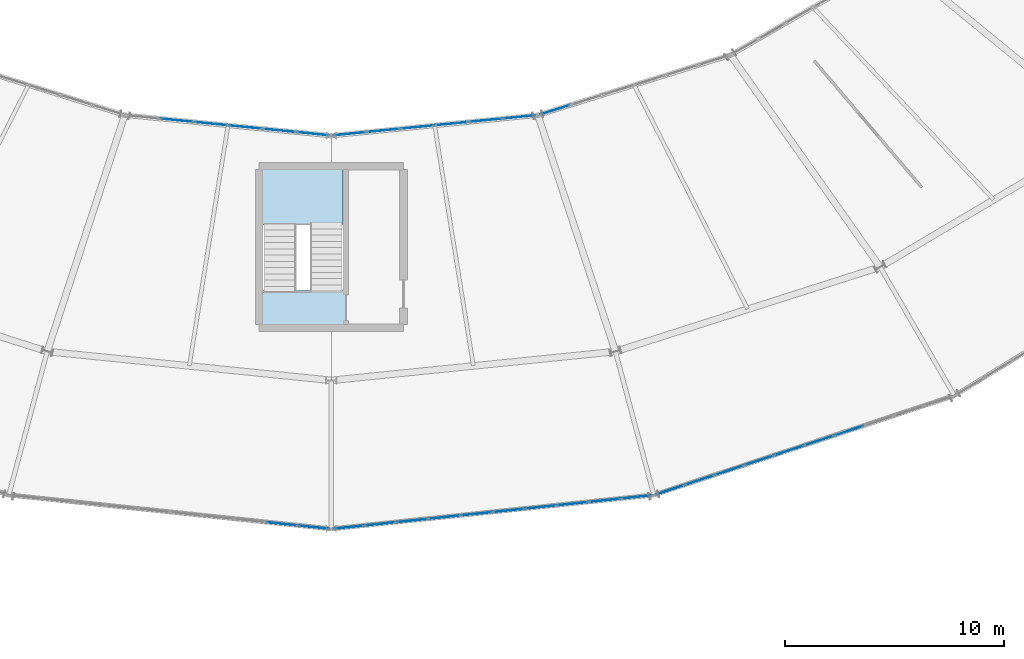
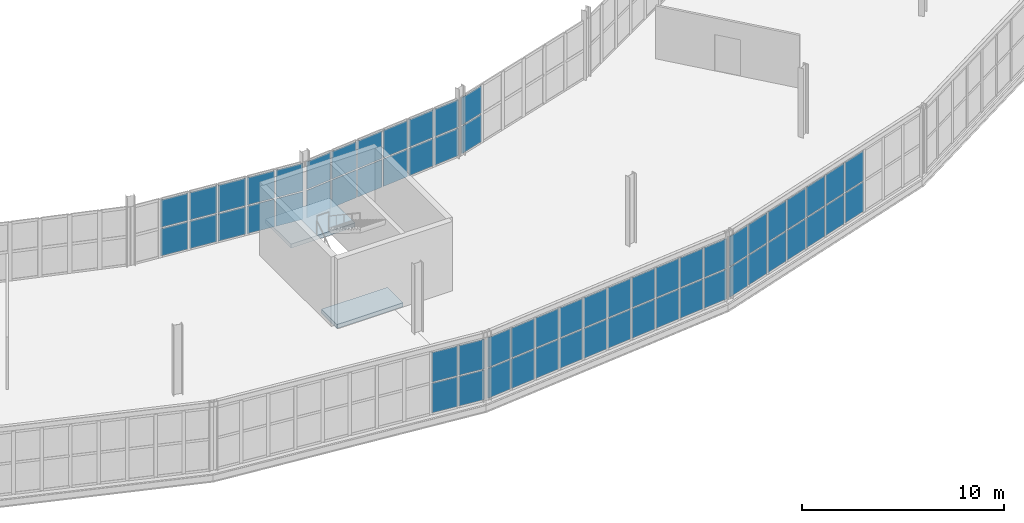
# One storey, part 109 of 161: 62 plates, 2 slabs, 7 elements without a shape of their own.
"""IFC4 building model written with IfcOpenShell, lengths in metres."""

from ifc_helpers import new_model, si_unit, direction, frame, origin, origin_2d, place, context, subcontext, project, spatial, polyline, rectangle, outline, extrude, material, layer, layer_set, type_object, element, aggregate, save


model = new_model("IFC4")

# Units and contexts
model_context = context("Model", 3, precision=1e-05, world=origin(), true_north=direction((0.0, 1.0)))
body_context = subcontext(model_context, "Body", "Model", "MODEL_VIEW")
ifc_project = project(units=[si_unit("LENGTHUNIT", "METRE"), si_unit("AREAUNIT", "SQUARE_METRE"), si_unit("VOLUMEUNIT", "CUBIC_METRE"), si_unit("PLANEANGLEUNIT", "RADIAN"), si_unit("MASSUNIT", "GRAM", prefix="KILO")], contexts=[model_context])

# Site, building, storey
site_placement = place(None, origin())
site = spatial("IfcSite", under=ifc_project, at=site_placement, CompositionType="ELEMENT")
building_placement = place(site_placement, origin())
building = spatial("IfcBuilding", under=site, at=building_placement, Name="Kildeholm Park Wholesale Market", CompositionType="ELEMENT")
storey_placement = place(building_placement, frame((0.0, 0.0, 5.39990234375)))
storey = spatial("IfcBuildingStorey", under=building, at=storey_placement, Name="L01", CompositionType="ELEMENT", Elevation=5.39990234375)

# Curtain wall, plates
ifc_material_1 = material(Name="Anodised aluminium and low-E double-glazed glass", Category="aluminium")
curtain_wall_type = type_object("IfcCurtainWallType", Name="Market hall glazed arcade stick curtain wall CW-01", PredefinedType="NOTDEFINED", material=ifc_material_1)
curtain_wall_1_placement = place(storey_placement, origin())
curtain_wall_1 = element("IfcCurtainWall", 1, at=curtain_wall_1_placement, inside=storey, type_object=curtain_wall_type, Name="Curtain wall CW-V1-OT-17-1 CW-0084", PredefinedType="NOTDEFINED")
ifc_material_2 = material(Name="Double-glazed low-E insulated glass", Category="glass")
ifc_layer_1 = layer(ifc_material_2, 0.028076171875)
ifc_layer_set_1 = layer_set([ifc_layer_1], Name="Double-glazed low-E insulated glass")
plate_type = type_object("IfcPlateType", Name="Curtain-wall panel CWP-1 28 mm", PredefinedType="CURTAIN_PANEL", material=ifc_layer_set_1)
plate_1_placement = place(storey_placement, frame((96.7587890625, 44.231201171875, 0.06494140625), z_axis=(0.0, 0.0, 1.0), x_axis=(0.994524005652, -0.104508383308, 0.0)))
plate_1 = element("IfcPlate", 2, at=plate_1_placement, type_object=plate_type, Name="CW-01 panel 9.1 PLT-1284", PredefinedType="CURTAIN_PANEL", context=body_context, shape_type="SweptSolid", body=[
    extrude(rectangle(XDim=1.410400390625, YDim=0.028076171875, at=origin_2d()), origin(), (0.0, 0.0, 1.0), 1.802490234375),
])
plate_2_placement = place(storey_placement, frame((96.7587890625, 44.231201171875, 1.9326171875), z_axis=(0.0, 0.0, 1.0), x_axis=(0.994524005652, -0.104508383308, 0.0)))
plate_2 = element("IfcPlate", 3, at=plate_2_placement, type_object=plate_type, Name="CW-01 panel 9.2 PLT-1285", PredefinedType="CURTAIN_PANEL", context=body_context, shape_type="SweptSolid", body=[
    extrude(rectangle(XDim=1.410400390625, YDim=0.028076171875, at=origin_2d()), origin(), (0.0, 0.0, 1.0), 1.802490234375),
])
plate_3_placement = place(storey_placement, frame((98.210205078125, 44.078857421875, 0.06494140625), z_axis=(0.0, 0.0, 1.0), x_axis=(0.994524005652, -0.104508383308, 0.0)))
plate_3 = element("IfcPlate", 4, at=plate_3_placement, type_object=plate_type, Name="CW-01 panel 10.1 PLT-1286", PredefinedType="CURTAIN_PANEL", context=body_context, shape_type="SweptSolid", body=[
    extrude(rectangle(XDim=1.3779296875, YDim=0.028076171875, at=origin_2d()), origin(), (0.0, 0.0, 1.0), 1.802490234375),
])
plate_4_placement = place(storey_placement, frame((98.210205078125, 44.078857421875, 1.9326171875), z_axis=(0.0, 0.0, 1.0), x_axis=(0.994524005652, -0.104508383308, 0.0)))
plate_4 = element("IfcPlate", 5, at=plate_4_placement, type_object=plate_type, Name="CW-01 panel 10.2 PLT-1287", PredefinedType="CURTAIN_PANEL", context=body_context, shape_type="SweptSolid", body=[
    extrude(rectangle(XDim=1.3779296875, YDim=0.028076171875, at=origin_2d()), origin(), (0.0, 0.0, 1.0), 1.802490234375),
])
aggregate(curtain_wall_1, [plate_1, plate_2, plate_3, plate_4])

curtain_wall_2_placement = place(storey_placement, origin())
curtain_wall_2 = element("IfcCurtainWall", 6, at=curtain_wall_2_placement, inside=storey, type_object=curtain_wall_type, Name="Curtain wall CW-V1-IN1-17 CW-0087", PredefinedType="NOTDEFINED")
plate_5_placement = place(storey_placement, frame((91.93408203125, 62.69677734375, 0.074951171875), z_axis=(0.0, 0.0, 1.0), x_axis=(0.995118887444, -0.098683331174, 0.0)))
plate_5 = element("IfcPlate", 7, at=plate_5_placement, type_object=plate_type, Name="CW-01 panel 2.1 PLT-1320", PredefinedType="CURTAIN_PANEL", context=body_context, shape_type="SweptSolid", body=[
    extrude(rectangle(XDim=1.493896484375, YDim=0.028076171875, at=origin_2d()), origin(), (0.0, 0.0, 1.0), 1.66259765625),
])
plate_6_placement = place(storey_placement, frame((91.93408203125, 62.69677734375, 1.8125), z_axis=(0.0, 0.0, 1.0), x_axis=(0.995118887444, -0.098683331174, 0.0)))
plate_6 = element("IfcPlate", 8, at=plate_6_placement, type_object=plate_type, Name="CW-01 panel 2.2 PLT-1321", PredefinedType="CURTAIN_PANEL", context=body_context, shape_type="SweptSolid", body=[
    extrude(rectangle(XDim=1.493896484375, YDim=0.028076171875, at=origin_2d()), origin(), (0.0, 0.0, 1.0), 1.66259765625),
])
plate_7_placement = place(storey_placement, frame((93.495361328125, 62.5419921875, 0.074951171875), z_axis=(0.0, 0.0, 1.0), x_axis=(0.995118887444, -0.098683331174, 0.0)))
plate_7 = element("IfcPlate", 9, at=plate_7_placement, type_object=plate_type, Name="CW-01 panel 3.1 PLT-1322", PredefinedType="CURTAIN_PANEL", context=body_context, shape_type="SweptSolid", body=[
    extrude(rectangle(XDim=1.493896484375, YDim=0.028076171875, at=origin_2d()), origin(), (0.0, 0.0, 1.0), 1.66259765625),
])
plate_8_placement = place(storey_placement, frame((93.495361328125, 62.5419921875, 1.8125), z_axis=(0.0, 0.0, 1.0), x_axis=(0.995118887444, -0.098683331174, 0.0)))
plate_8 = element("IfcPlate", 10, at=plate_8_placement, type_object=plate_type, Name="CW-01 panel 3.2 PLT-1323", PredefinedType="CURTAIN_PANEL", context=body_context, shape_type="SweptSolid", body=[
    extrude(rectangle(XDim=1.493896484375, YDim=0.028076171875, at=origin_2d()), origin(), (0.0, 0.0, 1.0), 1.66259765625),
])
plate_9_placement = place(storey_placement, frame((95.056640625, 62.386962890625, 0.074951171875), z_axis=(0.0, 0.0, 1.0), x_axis=(0.995118887444, -0.098683331174, 0.0)))
plate_9 = element("IfcPlate", 11, at=plate_9_placement, type_object=plate_type, Name="CW-01 panel 4.1 PLT-1324", PredefinedType="CURTAIN_PANEL", context=body_context, shape_type="SweptSolid", body=[
    extrude(rectangle(XDim=1.493896484375, YDim=0.028076171875, at=origin_2d()), origin(), (0.0, 0.0, 1.0), 1.66259765625),
])
plate_10_placement = place(storey_placement, frame((95.056640625, 62.386962890625, 1.8125), z_axis=(0.0, 0.0, 1.0), x_axis=(0.995118887444, -0.098683331174, 0.0)))
plate_10 = element("IfcPlate", 12, at=plate_10_placement, type_object=plate_type, Name="CW-01 panel 4.2 PLT-1325", PredefinedType="CURTAIN_PANEL", context=body_context, shape_type="SweptSolid", body=[
    extrude(rectangle(XDim=1.493896484375, YDim=0.028076171875, at=origin_2d()), origin(), (0.0, 0.0, 1.0), 1.66259765625),
])
plate_11_placement = place(storey_placement, frame((96.617919921875, 62.232177734375, 0.074951171875), z_axis=(0.0, 0.0, 1.0), x_axis=(0.995118887444, -0.098683331174, 0.0)))
plate_11 = element("IfcPlate", 13, at=plate_11_placement, type_object=plate_type, Name="CW-01 panel 5.1 PLT-1326", PredefinedType="CURTAIN_PANEL", context=body_context, shape_type="SweptSolid", body=[
    extrude(rectangle(XDim=1.493896484375, YDim=0.028076171875, at=origin_2d()), origin(), (0.0, 0.0, 1.0), 1.66259765625),
])
plate_12_placement = place(storey_placement, frame((96.617919921875, 62.232177734375, 1.8125), z_axis=(0.0, 0.0, 1.0), x_axis=(0.995118887444, -0.098683331174, 0.0)))
plate_12 = element("IfcPlate", 14, at=plate_12_placement, type_object=plate_type, Name="CW-01 panel 5.2 PLT-1327", PredefinedType="CURTAIN_PANEL", context=body_context, shape_type="SweptSolid", body=[
    extrude(rectangle(XDim=1.493896484375, YDim=0.028076171875, at=origin_2d()), origin(), (0.0, 0.0, 1.0), 1.66259765625),
])
plate_13_placement = place(storey_placement, frame((98.16064453125, 62.079345703125, 0.074951171875), z_axis=(0.0, 0.0, 1.0), x_axis=(0.995118887444, -0.098683331174, 0.0)))
plate_13 = element("IfcPlate", 15, at=plate_13_placement, type_object=plate_type, Name="CW-01 panel 6.1 PLT-1328", PredefinedType="CURTAIN_PANEL", context=body_context, shape_type="SweptSolid", body=[
    extrude(rectangle(XDim=1.45654296875, YDim=0.028076171875, at=origin_2d()), origin(), (0.0, 0.0, 1.0), 1.66259765625),
])
plate_14_placement = place(storey_placement, frame((98.16064453125, 62.079345703125, 1.8125), z_axis=(0.0, 0.0, 1.0), x_axis=(0.995118887444, -0.098683331174, 0.0)))
plate_14 = element("IfcPlate", 16, at=plate_14_placement, type_object=plate_type, Name="CW-01 panel 6.2 PLT-1329", PredefinedType="CURTAIN_PANEL", context=body_context, shape_type="SweptSolid", body=[
    extrude(rectangle(XDim=1.45654296875, YDim=0.028076171875, at=origin_2d()), origin(), (0.0, 0.0, 1.0), 1.66259765625),
])
aggregate(curtain_wall_2, [plate_5, plate_6, plate_7, plate_8, plate_9, plate_10, plate_11, plate_12, plate_13, plate_14])

curtain_wall_3_placement = place(storey_placement, origin())
curtain_wall_3 = element("IfcCurtainWall", 17, at=curtain_wall_3_placement, inside=storey, type_object=curtain_wall_type, Name="Curtain wall CW-V1-OT-18-1 CW-0089", PredefinedType="NOTDEFINED")
plate_15_placement = place(storey_placement, frame((99.789794921875, 44.078857421875, 0.06494140625), z_axis=(0.0, 0.0, 1.0), x_axis=(0.994524005652, 0.104508383308, 0.0)))
plate_15 = element("IfcPlate", 18, at=plate_15_placement, type_object=plate_type, Name="CW-01 panel 1.1 PLT-1342", PredefinedType="CURTAIN_PANEL", context=body_context, shape_type="SweptSolid", body=[
    extrude(rectangle(XDim=1.3779296875, YDim=0.028076171875, at=origin_2d()), origin(), (0.0, 0.0, 1.0), 1.802490234375),
])
plate_16_placement = place(storey_placement, frame((99.789794921875, 44.078857421875, 1.9326171875), z_axis=(0.0, 0.0, 1.0), x_axis=(0.994524005652, 0.104508383308, 0.0)))
plate_16 = element("IfcPlate", 19, at=plate_16_placement, type_object=plate_type, Name="CW-01 panel 1.2 PLT-1343", PredefinedType="CURTAIN_PANEL", context=body_context, shape_type="SweptSolid", body=[
    extrude(rectangle(XDim=1.3779296875, YDim=0.028076171875, at=origin_2d()), origin(), (0.0, 0.0, 1.0), 1.802490234375),
])
plate_17_placement = place(storey_placement, frame((101.2412109375, 44.231201171875, 0.06494140625), z_axis=(0.0, 0.0, 1.0), x_axis=(0.994524005652, 0.104508383308, 0.0)))
plate_17 = element("IfcPlate", 20, at=plate_17_placement, type_object=plate_type, Name="CW-01 panel 2.1 PLT-1344", PredefinedType="CURTAIN_PANEL", context=body_context, shape_type="SweptSolid", body=[
    extrude(rectangle(XDim=1.410400390625, YDim=0.028076171875, at=origin_2d()), origin(), (0.0, 0.0, 1.0), 1.802490234375),
])
plate_18_placement = place(storey_placement, frame((101.2412109375, 44.231201171875, 1.9326171875), z_axis=(0.0, 0.0, 1.0), x_axis=(0.994524005652, 0.104508383308, 0.0)))
plate_18 = element("IfcPlate", 21, at=plate_18_placement, type_object=plate_type, Name="CW-01 panel 2.2 PLT-1345", PredefinedType="CURTAIN_PANEL", context=body_context, shape_type="SweptSolid", body=[
    extrude(rectangle(XDim=1.410400390625, YDim=0.028076171875, at=origin_2d()), origin(), (0.0, 0.0, 1.0), 1.802490234375),
])
plate_19_placement = place(storey_placement, frame((102.70849609375, 44.385498046875, 0.06494140625), z_axis=(0.0, 0.0, 1.0), x_axis=(0.994524005652, 0.104508383308, 0.0)))
plate_19 = element("IfcPlate", 22, at=plate_19_placement, type_object=plate_type, Name="CW-01 panel 3.1 PLT-1346", PredefinedType="CURTAIN_PANEL", context=body_context, shape_type="SweptSolid", body=[
    extrude(rectangle(XDim=1.410400390625, YDim=0.028076171875, at=origin_2d()), origin(), (0.0, 0.0, 1.0), 1.802490234375),
])
plate_20_placement = place(storey_placement, frame((102.70849609375, 44.385498046875, 1.9326171875), z_axis=(0.0, 0.0, 1.0), x_axis=(0.994524005652, 0.104508383308, 0.0)))
plate_20 = element("IfcPlate", 23, at=plate_20_placement, type_object=plate_type, Name="CW-01 panel 3.2 PLT-1347", PredefinedType="CURTAIN_PANEL", context=body_context, shape_type="SweptSolid", body=[
    extrude(rectangle(XDim=1.410400390625, YDim=0.028076171875, at=origin_2d()), origin(), (0.0, 0.0, 1.0), 1.802490234375),
])
plate_21_placement = place(storey_placement, frame((104.17578125, 44.539794921875, 0.06494140625), z_axis=(0.0, 0.0, 1.0), x_axis=(0.994524005652, 0.104508383308, 0.0)))
plate_21 = element("IfcPlate", 24, at=plate_21_placement, type_object=plate_type, Name="CW-01 panel 4.1 PLT-1348", PredefinedType="CURTAIN_PANEL", context=body_context, shape_type="SweptSolid", body=[
    extrude(rectangle(XDim=1.410400390625, YDim=0.028076171875, at=origin_2d()), origin(), (0.0, 0.0, 1.0), 1.802490234375),
])
plate_22_placement = place(storey_placement, frame((104.17578125, 44.539794921875, 1.9326171875), z_axis=(0.0, 0.0, 1.0), x_axis=(0.994524005652, 0.104508383308, 0.0)))
plate_22 = element("IfcPlate", 25, at=plate_22_placement, type_object=plate_type, Name="CW-01 panel 4.2 PLT-1349", PredefinedType="CURTAIN_PANEL", context=body_context, shape_type="SweptSolid", body=[
    extrude(rectangle(XDim=1.410400390625, YDim=0.028076171875, at=origin_2d()), origin(), (0.0, 0.0, 1.0), 1.802490234375),
])
plate_23_placement = place(storey_placement, frame((105.643310546875, 44.69384765625, 0.06494140625), z_axis=(0.0, 0.0, 1.0), x_axis=(0.994524005652, 0.104508383308, 0.0)))
plate_23 = element("IfcPlate", 26, at=plate_23_placement, type_object=plate_type, Name="CW-01 panel 5.1 PLT-1350", PredefinedType="CURTAIN_PANEL", context=body_context, shape_type="SweptSolid", body=[
    extrude(rectangle(XDim=1.410400390625, YDim=0.028076171875, at=origin_2d()), origin(), (0.0, 0.0, 1.0), 1.802490234375),
])
plate_24_placement = place(storey_placement, frame((105.643310546875, 44.69384765625, 1.9326171875), z_axis=(0.0, 0.0, 1.0), x_axis=(0.994524005652, 0.104508383308, 0.0)))
plate_24 = element("IfcPlate", 27, at=plate_24_placement, type_object=plate_type, Name="CW-01 panel 5.2 PLT-1351", PredefinedType="CURTAIN_PANEL", context=body_context, shape_type="SweptSolid", body=[
    extrude(rectangle(XDim=1.410400390625, YDim=0.028076171875, at=origin_2d()), origin(), (0.0, 0.0, 1.0), 1.802490234375),
])
plate_25_placement = place(storey_placement, frame((107.110595703125, 44.84814453125, 0.06494140625), z_axis=(0.0, 0.0, 1.0), x_axis=(0.994524005652, 0.104508383308, 0.0)))
plate_25 = element("IfcPlate", 28, at=plate_25_placement, type_object=plate_type, Name="CW-01 panel 6.1 PLT-1352", PredefinedType="CURTAIN_PANEL", context=body_context, shape_type="SweptSolid", body=[
    extrude(rectangle(XDim=1.410400390625, YDim=0.028076171875, at=origin_2d()), origin(), (0.0, 0.0, 1.0), 1.802490234375),
])
plate_26_placement = place(storey_placement, frame((107.110595703125, 44.84814453125, 1.9326171875), z_axis=(0.0, 0.0, 1.0), x_axis=(0.994524005652, 0.104508383308, 0.0)))
plate_26 = element("IfcPlate", 29, at=plate_26_placement, type_object=plate_type, Name="CW-01 panel 6.2 PLT-1353", PredefinedType="CURTAIN_PANEL", context=body_context, shape_type="SweptSolid", body=[
    extrude(rectangle(XDim=1.410400390625, YDim=0.028076171875, at=origin_2d()), origin(), (0.0, 0.0, 1.0), 1.802490234375),
])
plate_27_placement = place(storey_placement, frame((108.578125, 45.002197265625, 0.06494140625), z_axis=(0.0, 0.0, 1.0), x_axis=(0.994524005652, 0.104508383308, 0.0)))
plate_27 = element("IfcPlate", 30, at=plate_27_placement, type_object=plate_type, Name="CW-01 panel 7.1 PLT-1354", PredefinedType="CURTAIN_PANEL", context=body_context, shape_type="SweptSolid", body=[
    extrude(rectangle(XDim=1.410400390625, YDim=0.028076171875, at=origin_2d()), origin(), (0.0, 0.0, 1.0), 1.802490234375),
])
plate_28_placement = place(storey_placement, frame((108.578125, 45.002197265625, 1.9326171875), z_axis=(0.0, 0.0, 1.0), x_axis=(0.994524005652, 0.104508383308, 0.0)))
plate_28 = element("IfcPlate", 31, at=plate_28_placement, type_object=plate_type, Name="CW-01 panel 7.2 PLT-1355", PredefinedType="CURTAIN_PANEL", context=body_context, shape_type="SweptSolid", body=[
    extrude(rectangle(XDim=1.410400390625, YDim=0.028076171875, at=origin_2d()), origin(), (0.0, 0.0, 1.0), 1.802490234375),
])
plate_29_placement = place(storey_placement, frame((110.04541015625, 45.156494140625, 0.06494140625), z_axis=(0.0, 0.0, 1.0), x_axis=(0.994524005652, 0.104508383308, 0.0)))
plate_29 = element("IfcPlate", 32, at=plate_29_placement, type_object=plate_type, Name="CW-01 panel 8.1 PLT-1356", PredefinedType="CURTAIN_PANEL", context=body_context, shape_type="SweptSolid", body=[
    extrude(rectangle(XDim=1.410400390625, YDim=0.028076171875, at=origin_2d()), origin(), (0.0, 0.0, 1.0), 1.802490234375),
])
plate_30_placement = place(storey_placement, frame((110.04541015625, 45.156494140625, 1.9326171875), z_axis=(0.0, 0.0, 1.0), x_axis=(0.994524005652, 0.104508383308, 0.0)))
plate_30 = element("IfcPlate", 33, at=plate_30_placement, type_object=plate_type, Name="CW-01 panel 8.2 PLT-1357", PredefinedType="CURTAIN_PANEL", context=body_context, shape_type="SweptSolid", body=[
    extrude(rectangle(XDim=1.410400390625, YDim=0.028076171875, at=origin_2d()), origin(), (0.0, 0.0, 1.0), 1.802490234375),
])
plate_31_placement = place(storey_placement, frame((111.512939453125, 45.310791015625, 0.06494140625), z_axis=(0.0, 0.0, 1.0), x_axis=(0.994524005652, 0.104508383308, 0.0)))
plate_31 = element("IfcPlate", 34, at=plate_31_placement, type_object=plate_type, Name="CW-01 panel 9.1 PLT-1358", PredefinedType="CURTAIN_PANEL", context=body_context, shape_type="SweptSolid", body=[
    extrude(rectangle(XDim=1.410400390625, YDim=0.028076171875, at=origin_2d()), origin(), (0.0, 0.0, 1.0), 1.802490234375),
])
plate_32_placement = place(storey_placement, frame((111.512939453125, 45.310791015625, 1.9326171875), z_axis=(0.0, 0.0, 1.0), x_axis=(0.994524005652, 0.104508383308, 0.0)))
plate_32 = element("IfcPlate", 35, at=plate_32_placement, type_object=plate_type, Name="CW-01 panel 9.2 PLT-1359", PredefinedType="CURTAIN_PANEL", context=body_context, shape_type="SweptSolid", body=[
    extrude(rectangle(XDim=1.410400390625, YDim=0.028076171875, at=origin_2d()), origin(), (0.0, 0.0, 1.0), 1.802490234375),
])
plate_33_placement = place(storey_placement, frame((112.964111328125, 45.463134765625, 0.06494140625), z_axis=(0.0, 0.0, 1.0), x_axis=(0.994524005652, 0.104508383308, 0.0)))
plate_33 = element("IfcPlate", 36, at=plate_33_placement, type_object=plate_type, Name="CW-01 panel 10.1 PLT-1360", PredefinedType="CURTAIN_PANEL", context=body_context, shape_type="SweptSolid", body=[
    extrude(rectangle(XDim=1.3779296875, YDim=0.028076171875, at=origin_2d()), origin(), (0.0, 0.0, 1.0), 1.802490234375),
])
plate_34_placement = place(storey_placement, frame((112.964111328125, 45.463134765625, 1.9326171875), z_axis=(0.0, 0.0, 1.0), x_axis=(0.994524005652, 0.104508383308, 0.0)))
plate_34 = element("IfcPlate", 37, at=plate_34_placement, type_object=plate_type, Name="CW-01 panel 10.2 PLT-1361", PredefinedType="CURTAIN_PANEL", context=body_context, shape_type="SweptSolid", body=[
    extrude(rectangle(XDim=1.3779296875, YDim=0.028076171875, at=origin_2d()), origin(), (0.0, 0.0, 1.0), 1.802490234375),
])
aggregate(curtain_wall_3, [plate_15, plate_16, plate_17, plate_18, plate_19, plate_20, plate_21, plate_22, plate_23, plate_24, plate_25, plate_26, plate_27, plate_28, plate_29, plate_30, plate_31, plate_32, plate_33, plate_34])

curtain_wall_4_placement = place(storey_placement, origin())
curtain_wall_4 = element("IfcCurtainWall", 38, at=curtain_wall_4_placement, inside=storey, type_object=curtain_wall_type, Name="Curtain wall CW-V1-IN1-18 CW-0092", PredefinedType="NOTDEFINED")
plate_35_placement = place(storey_placement, frame((99.83935546875, 62.079345703125, 0.074951171875), z_axis=(0.0, 0.0, 1.0), x_axis=(0.995118887444, 0.098683331174, 0.0)))
plate_35 = element("IfcPlate", 39, at=plate_35_placement, type_object=plate_type, Name="CW-01 panel 1.1 PLT-1392", PredefinedType="CURTAIN_PANEL", context=body_context, shape_type="SweptSolid", body=[
    extrude(rectangle(XDim=1.45654296875, YDim=0.028076171875, at=origin_2d()), origin(), (0.0, 0.0, 1.0), 1.66259765625),
])
plate_36_placement = place(storey_placement, frame((99.83935546875, 62.079345703125, 1.8125), z_axis=(0.0, 0.0, 1.0), x_axis=(0.995118887444, 0.098683331174, 0.0)))
plate_36 = element("IfcPlate", 40, at=plate_36_placement, type_object=plate_type, Name="CW-01 panel 1.2 PLT-1393", PredefinedType="CURTAIN_PANEL", context=body_context, shape_type="SweptSolid", body=[
    extrude(rectangle(XDim=1.45654296875, YDim=0.028076171875, at=origin_2d()), origin(), (0.0, 0.0, 1.0), 1.66259765625),
])
plate_37_placement = place(storey_placement, frame((101.382080078125, 62.232177734375, 0.074951171875), z_axis=(0.0, 0.0, 1.0), x_axis=(0.995118887444, 0.098683331174, 0.0)))
plate_37 = element("IfcPlate", 41, at=plate_37_placement, type_object=plate_type, Name="CW-01 panel 2.1 PLT-1394", PredefinedType="CURTAIN_PANEL", context=body_context, shape_type="SweptSolid", body=[
    extrude(rectangle(XDim=1.493896484375, YDim=0.028076171875, at=origin_2d()), origin(), (0.0, 0.0, 1.0), 1.66259765625),
])
plate_38_placement = place(storey_placement, frame((101.382080078125, 62.232177734375, 1.8125), z_axis=(0.0, 0.0, 1.0), x_axis=(0.995118887444, 0.098683331174, 0.0)))
plate_38 = element("IfcPlate", 42, at=plate_38_placement, type_object=plate_type, Name="CW-01 panel 2.2 PLT-1395", PredefinedType="CURTAIN_PANEL", context=body_context, shape_type="SweptSolid", body=[
    extrude(rectangle(XDim=1.493896484375, YDim=0.028076171875, at=origin_2d()), origin(), (0.0, 0.0, 1.0), 1.66259765625),
])
plate_39_placement = place(storey_placement, frame((102.943359375, 62.386962890625, 0.074951171875), z_axis=(0.0, 0.0, 1.0), x_axis=(0.995118887444, 0.098683331174, 0.0)))
plate_39 = element("IfcPlate", 43, at=plate_39_placement, type_object=plate_type, Name="CW-01 panel 3.1 PLT-1396", PredefinedType="CURTAIN_PANEL", context=body_context, shape_type="SweptSolid", body=[
    extrude(rectangle(XDim=1.493896484375, YDim=0.028076171875, at=origin_2d()), origin(), (0.0, 0.0, 1.0), 1.66259765625),
])
plate_40_placement = place(storey_placement, frame((102.943359375, 62.386962890625, 1.8125), z_axis=(0.0, 0.0, 1.0), x_axis=(0.995118887444, 0.098683331174, 0.0)))
plate_40 = element("IfcPlate", 44, at=plate_40_placement, type_object=plate_type, Name="CW-01 panel 3.2 PLT-1397", PredefinedType="CURTAIN_PANEL", context=body_context, shape_type="SweptSolid", body=[
    extrude(rectangle(XDim=1.493896484375, YDim=0.028076171875, at=origin_2d()), origin(), (0.0, 0.0, 1.0), 1.66259765625),
])
plate_41_placement = place(storey_placement, frame((104.504638671875, 62.5419921875, 0.074951171875), z_axis=(0.0, 0.0, 1.0), x_axis=(0.995118887444, 0.098683331174, 0.0)))
plate_41 = element("IfcPlate", 45, at=plate_41_placement, type_object=plate_type, Name="CW-01 panel 4.1 PLT-1398", PredefinedType="CURTAIN_PANEL", context=body_context, shape_type="SweptSolid", body=[
    extrude(rectangle(XDim=1.493896484375, YDim=0.028076171875, at=origin_2d()), origin(), (0.0, 0.0, 1.0), 1.66259765625),
])
plate_42_placement = place(storey_placement, frame((104.504638671875, 62.5419921875, 1.8125), z_axis=(0.0, 0.0, 1.0), x_axis=(0.995118887444, 0.098683331174, 0.0)))
plate_42 = element("IfcPlate", 46, at=plate_42_placement, type_object=plate_type, Name="CW-01 panel 4.2 PLT-1399", PredefinedType="CURTAIN_PANEL", context=body_context, shape_type="SweptSolid", body=[
    extrude(rectangle(XDim=1.493896484375, YDim=0.028076171875, at=origin_2d()), origin(), (0.0, 0.0, 1.0), 1.66259765625),
])
plate_43_placement = place(storey_placement, frame((106.06591796875, 62.69677734375, 0.074951171875), z_axis=(0.0, 0.0, 1.0), x_axis=(0.995118887444, 0.098683331174, 0.0)))
plate_43 = element("IfcPlate", 47, at=plate_43_placement, type_object=plate_type, Name="CW-01 panel 5.1 PLT-1400", PredefinedType="CURTAIN_PANEL", context=body_context, shape_type="SweptSolid", body=[
    extrude(rectangle(XDim=1.493896484375, YDim=0.028076171875, at=origin_2d()), origin(), (0.0, 0.0, 1.0), 1.66259765625),
])
plate_44_placement = place(storey_placement, frame((106.06591796875, 62.69677734375, 1.8125), z_axis=(0.0, 0.0, 1.0), x_axis=(0.995118887444, 0.098683331174, 0.0)))
plate_44 = element("IfcPlate", 48, at=plate_44_placement, type_object=plate_type, Name="CW-01 panel 5.2 PLT-1401", PredefinedType="CURTAIN_PANEL", context=body_context, shape_type="SweptSolid", body=[
    extrude(rectangle(XDim=1.493896484375, YDim=0.028076171875, at=origin_2d()), origin(), (0.0, 0.0, 1.0), 1.66259765625),
])
plate_45_placement = place(storey_placement, frame((107.608642578125, 62.849853515625, 0.074951171875), z_axis=(0.0, 0.0, 1.0), x_axis=(0.995118887444, 0.098683331174, 0.0)))
plate_45 = element("IfcPlate", 49, at=plate_45_placement, type_object=plate_type, Name="CW-01 panel 6.1 PLT-1402", PredefinedType="CURTAIN_PANEL", context=body_context, shape_type="SweptSolid", body=[
    extrude(rectangle(XDim=1.45654296875, YDim=0.028076171875, at=origin_2d()), origin(), (0.0, 0.0, 1.0), 1.66259765625),
])
plate_46_placement = place(storey_placement, frame((107.608642578125, 62.849853515625, 1.8125), z_axis=(0.0, 0.0, 1.0), x_axis=(0.995118887444, 0.098683331174, 0.0)))
plate_46 = element("IfcPlate", 50, at=plate_46_placement, type_object=plate_type, Name="CW-01 panel 6.2 PLT-1403", PredefinedType="CURTAIN_PANEL", context=body_context, shape_type="SweptSolid", body=[
    extrude(rectangle(XDim=1.45654296875, YDim=0.028076171875, at=origin_2d()), origin(), (0.0, 0.0, 1.0), 1.66259765625),
])
aggregate(curtain_wall_4, [plate_35, plate_36, plate_37, plate_38, plate_39, plate_40, plate_41, plate_42, plate_43, plate_44, plate_45, plate_46])

curtain_wall_5_placement = place(storey_placement, origin())
curtain_wall_5 = element("IfcCurtainWall", 51, at=curtain_wall_5_placement, inside=storey, type_object=curtain_wall_type, Name="Curtain wall CW-V1-OT-19-1 CW-0094", PredefinedType="NOTDEFINED")
plate_47_placement = place(storey_placement, frame((114.491943359375, 45.7900390625, 0.06494140625), z_axis=(0.0, 0.0, 1.0), x_axis=(0.949451374478, 0.313914140335, 0.0)))
plate_47 = element("IfcPlate", 52, at=plate_47_placement, type_object=plate_type, Name="CW-01 panel 1.1 PLT-1416", PredefinedType="CURTAIN_PANEL", context=body_context, shape_type="SweptSolid", body=[
    extrude(rectangle(XDim=1.34228515625, YDim=0.028076171875, at=origin_2d()), origin(), (0.0, 0.0, 1.0), 1.802490234375),
])
plate_48_placement = place(storey_placement, frame((114.491943359375, 45.7900390625, 1.9326171875), z_axis=(0.0, 0.0, 1.0), x_axis=(0.949451374478, 0.313914140335, 0.0)))
plate_48 = element("IfcPlate", 53, at=plate_48_placement, type_object=plate_type, Name="CW-01 panel 1.2 PLT-1417", PredefinedType="CURTAIN_PANEL", context=body_context, shape_type="SweptSolid", body=[
    extrude(rectangle(XDim=1.34228515625, YDim=0.028076171875, at=origin_2d()), origin(), (0.0, 0.0, 1.0), 1.802490234375),
])
plate_49_placement = place(storey_placement, frame((115.84375, 46.237060546875, 0.06494140625), z_axis=(0.0, 0.0, 1.0), x_axis=(0.949451374478, 0.313914140335, 0.0)))
plate_49 = element("IfcPlate", 54, at=plate_49_placement, type_object=plate_type, Name="CW-01 panel 2.1 PLT-1418", PredefinedType="CURTAIN_PANEL", context=body_context, shape_type="SweptSolid", body=[
    extrude(rectangle(XDim=1.375, YDim=0.028076171875, at=origin_2d()), origin(), (0.0, 0.0, 1.0), 1.802490234375),
])
plate_50_placement = place(storey_placement, frame((115.84375, 46.237060546875, 1.9326171875), z_axis=(0.0, 0.0, 1.0), x_axis=(0.949451374478, 0.313914140335, 0.0)))
plate_50 = element("IfcPlate", 55, at=plate_50_placement, type_object=plate_type, Name="CW-01 panel 2.2 PLT-1419", PredefinedType="CURTAIN_PANEL", context=body_context, shape_type="SweptSolid", body=[
    extrude(rectangle(XDim=1.375, YDim=0.028076171875, at=origin_2d()), origin(), (0.0, 0.0, 1.0), 1.802490234375),
])
plate_51_placement = place(storey_placement, frame((117.210693359375, 46.68896484375, 0.06494140625), z_axis=(0.0, 0.0, 1.0), x_axis=(0.949451374478, 0.313914140335, 0.0)))
plate_51 = element("IfcPlate", 56, at=plate_51_placement, type_object=plate_type, Name="CW-01 panel 3.1 PLT-1420", PredefinedType="CURTAIN_PANEL", context=body_context, shape_type="SweptSolid", body=[
    extrude(rectangle(XDim=1.375, YDim=0.028076171875, at=origin_2d()), origin(), (0.0, 0.0, 1.0), 1.802490234375),
])
plate_52_placement = place(storey_placement, frame((117.210693359375, 46.68896484375, 1.9326171875), z_axis=(0.0, 0.0, 1.0), x_axis=(0.949451374478, 0.313914140335, 0.0)))
plate_52 = element("IfcPlate", 57, at=plate_52_placement, type_object=plate_type, Name="CW-01 panel 3.2 PLT-1421", PredefinedType="CURTAIN_PANEL", context=body_context, shape_type="SweptSolid", body=[
    extrude(rectangle(XDim=1.375, YDim=0.028076171875, at=origin_2d()), origin(), (0.0, 0.0, 1.0), 1.802490234375),
])
plate_53_placement = place(storey_placement, frame((118.577880859375, 47.14111328125, 0.06494140625), z_axis=(0.0, 0.0, 1.0), x_axis=(0.949451374478, 0.313914140335, 0.0)))
plate_53 = element("IfcPlate", 58, at=plate_53_placement, type_object=plate_type, Name="CW-01 panel 4.1 PLT-1422", PredefinedType="CURTAIN_PANEL", context=body_context, shape_type="SweptSolid", body=[
    extrude(rectangle(XDim=1.375, YDim=0.028076171875, at=origin_2d()), origin(), (0.0, 0.0, 1.0), 1.802490234375),
])
plate_54_placement = place(storey_placement, frame((118.577880859375, 47.14111328125, 1.9326171875), z_axis=(0.0, 0.0, 1.0), x_axis=(0.949451374478, 0.313914140335, 0.0)))
plate_54 = element("IfcPlate", 59, at=plate_54_placement, type_object=plate_type, Name="CW-01 panel 4.2 PLT-1423", PredefinedType="CURTAIN_PANEL", context=body_context, shape_type="SweptSolid", body=[
    extrude(rectangle(XDim=1.375, YDim=0.028076171875, at=origin_2d()), origin(), (0.0, 0.0, 1.0), 1.802490234375),
])
plate_55_placement = place(storey_placement, frame((119.945068359375, 47.593017578125, 0.06494140625), z_axis=(0.0, 0.0, 1.0), x_axis=(0.949451374478, 0.313914140335, 0.0)))
plate_55 = element("IfcPlate", 60, at=plate_55_placement, type_object=plate_type, Name="CW-01 panel 5.1 PLT-1424", PredefinedType="CURTAIN_PANEL", context=body_context, shape_type="SweptSolid", body=[
    extrude(rectangle(XDim=1.375, YDim=0.028076171875, at=origin_2d()), origin(), (0.0, 0.0, 1.0), 1.802490234375),
])
plate_56_placement = place(storey_placement, frame((119.945068359375, 47.593017578125, 1.9326171875), z_axis=(0.0, 0.0, 1.0), x_axis=(0.949451374478, 0.313914140335, 0.0)))
plate_56 = element("IfcPlate", 61, at=plate_56_placement, type_object=plate_type, Name="CW-01 panel 5.2 PLT-1425", PredefinedType="CURTAIN_PANEL", context=body_context, shape_type="SweptSolid", body=[
    extrude(rectangle(XDim=1.375, YDim=0.028076171875, at=origin_2d()), origin(), (0.0, 0.0, 1.0), 1.802490234375),
])
plate_57_placement = place(storey_placement, frame((121.31201171875, 48.044921875, 0.06494140625), z_axis=(0.0, 0.0, 1.0), x_axis=(0.949451374478, 0.313914140335, 0.0)))
plate_57 = element("IfcPlate", 62, at=plate_57_placement, type_object=plate_type, Name="CW-01 panel 6.1 PLT-1426", PredefinedType="CURTAIN_PANEL", context=body_context, shape_type="SweptSolid", body=[
    extrude(rectangle(XDim=1.375, YDim=0.028076171875, at=origin_2d()), origin(), (0.0, 0.0, 1.0), 1.802490234375),
])
plate_58_placement = place(storey_placement, frame((121.31201171875, 48.044921875, 1.9326171875), z_axis=(0.0, 0.0, 1.0), x_axis=(0.949451374478, 0.313914140335, 0.0)))
plate_58 = element("IfcPlate", 63, at=plate_58_placement, type_object=plate_type, Name="CW-01 panel 6.2 PLT-1427", PredefinedType="CURTAIN_PANEL", context=body_context, shape_type="SweptSolid", body=[
    extrude(rectangle(XDim=1.375, YDim=0.028076171875, at=origin_2d()), origin(), (0.0, 0.0, 1.0), 1.802490234375),
])
plate_59_placement = place(storey_placement, frame((122.67919921875, 48.4970703125, 0.06494140625), z_axis=(0.0, 0.0, 1.0), x_axis=(0.949451374478, 0.313914140335, 0.0)))
plate_59 = element("IfcPlate", 64, at=plate_59_placement, type_object=plate_type, Name="CW-01 panel 7.1 PLT-1428", PredefinedType="CURTAIN_PANEL", context=body_context, shape_type="SweptSolid", body=[
    extrude(rectangle(XDim=1.375, YDim=0.028076171875, at=origin_2d()), origin(), (0.0, 0.0, 1.0), 1.802490234375),
])
plate_60_placement = place(storey_placement, frame((122.67919921875, 48.4970703125, 1.9326171875), z_axis=(0.0, 0.0, 1.0), x_axis=(0.949451374478, 0.313914140335, 0.0)))
plate_60 = element("IfcPlate", 65, at=plate_60_placement, type_object=plate_type, Name="CW-01 panel 7.2 PLT-1429", PredefinedType="CURTAIN_PANEL", context=body_context, shape_type="SweptSolid", body=[
    extrude(rectangle(XDim=1.375, YDim=0.028076171875, at=origin_2d()), origin(), (0.0, 0.0, 1.0), 1.802490234375),
])
aggregate(curtain_wall_5, [plate_47, plate_48, plate_49, plate_50, plate_51, plate_52, plate_53, plate_54, plate_55, plate_56, plate_57, plate_58, plate_59, plate_60])

curtain_wall_6_placement = place(storey_placement, origin())
curtain_wall_6 = element("IfcCurtainWall", 66, at=curtain_wall_6_placement, inside=storey, type_object=curtain_wall_type, Name="Curtain wall CW-V1-IN1-19 CW-0097", PredefinedType="NOTDEFINED")
plate_61_placement = place(storey_placement, frame((109.232177734375, 63.177490234375, 0.074951171875), z_axis=(0.0, 0.0, 1.0), x_axis=(0.954579186683, 0.297957339818, 0.0)))
plate_61 = element("IfcPlate", 67, at=plate_61_placement, type_object=plate_type, Name="CW-01 panel 1.1 PLT-1464", PredefinedType="CURTAIN_PANEL", context=body_context, shape_type="SweptSolid", body=[
    extrude(rectangle(XDim=1.4111328125, YDim=0.028076171875, at=origin_2d()), origin(), (0.0, 0.0, 1.0), 1.66259765625),
])
plate_62_placement = place(storey_placement, frame((109.232177734375, 63.177490234375, 1.8125), z_axis=(0.0, 0.0, 1.0), x_axis=(0.954579186683, 0.297957339818, 0.0)))
plate_62 = element("IfcPlate", 68, at=plate_62_placement, type_object=plate_type, Name="CW-01 panel 1.2 PLT-1465", PredefinedType="CURTAIN_PANEL", context=body_context, shape_type="SweptSolid", body=[
    extrude(rectangle(XDim=1.4111328125, YDim=0.028076171875, at=origin_2d()), origin(), (0.0, 0.0, 1.0), 1.66259765625),
])
aggregate(curtain_wall_6, [plate_61, plate_62])

# Slab
ifc_material_3 = material(Name="Concrete C35/45", Category="concrete")
ifc_layer_2 = layer(ifc_material_3, 0.239990234375)
ifc_layer_set_2 = layer_set([ifc_layer_2], Name="Concrete C35/45")
slab_type = type_object("IfcSlabType", Name="Stair landing slab S-LD1 240 mm", PredefinedType="LANDING", material=ifc_layer_set_2)
slab_1_placement = place(storey_placement, frame((0.0, 0.0, -0.239990234375)))
element("IfcSlab", 69, at=slab_1_placement, inside=storey, type_object=slab_type, Name="Core C10 stair landing slab L01 SLB-0458", PredefinedType="LANDING", context=body_context, shape_type="SweptSolid", body=[
    extrude(outline(polyline([(95.85009765625, 53.35009765625), (99.64990234375, 53.35009765625), (99.64990234375, 54.89990234375), (95.85009765625, 54.89990234375), (95.85009765625, 53.35009765625)])), origin(), (0.0, 0.0, 1.0), 0.239990234375),
])

# Stair, slab
stair_type = type_object("IfcStairType", Name="Protected upper core escape stair ST-CR2", PredefinedType="HALF_TURN_STAIR", material=ifc_material_3)
stair_placement = place(storey_placement, origin())
stair = element("IfcStair", 70, at=stair_placement, inside=storey, type_object=stair_type, Name="Escape stair C10 L01 STR-0025", PredefinedType="HALF_TURN_STAIR")
slab_2_placement = place(storey_placement, frame((0.0, 0.0, 1.860107421875)))
slab_2 = element("IfcSlab", 71, at=slab_2_placement, type_object=slab_type, Name="ST-10-01 landing 1 SLB-0459", PredefinedType="LANDING", context=body_context, shape_type="SweptSolid", body=[
    extrude(outline(polyline([(95.85009765625, 57.9150390625), (99.530029296875, 57.93505859375), (99.530029296875, 60.449951171875), (95.85009765625, 60.449951171875), (95.85009765625, 57.9150390625)])), origin(), (0.0, 0.0, 1.0), 0.239990234375),
])
aggregate(stair, [slab_2])

save(model, "model.ifc")
